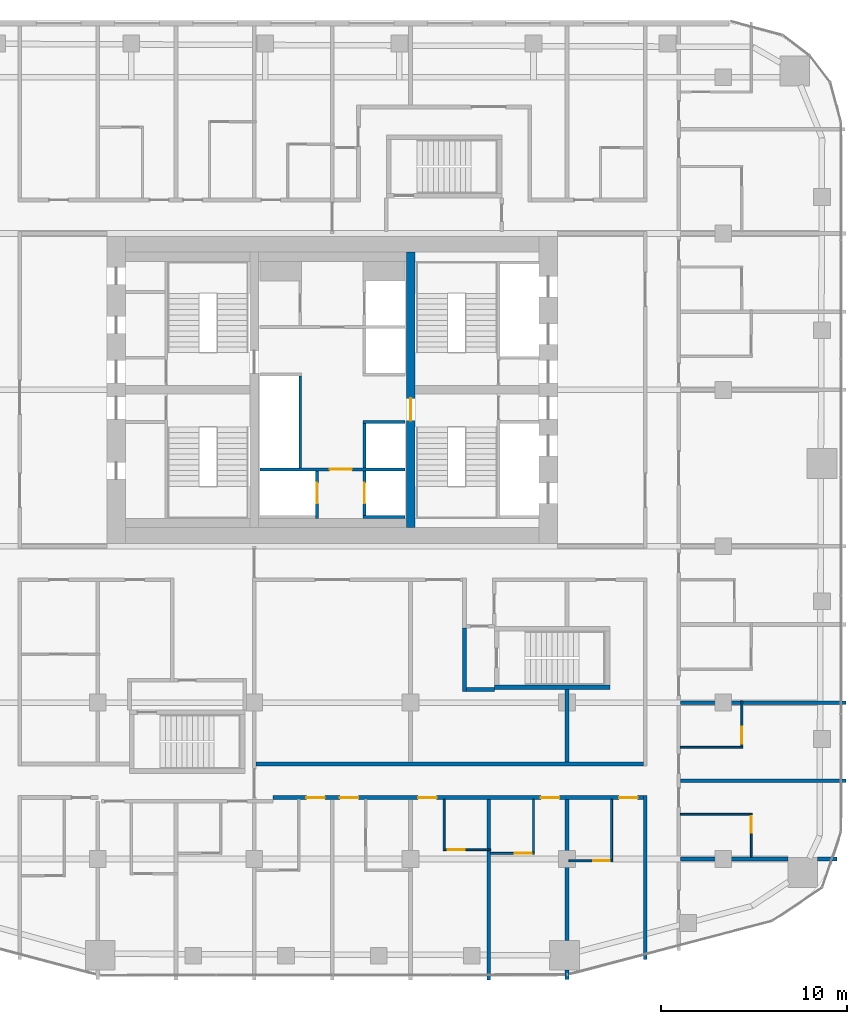
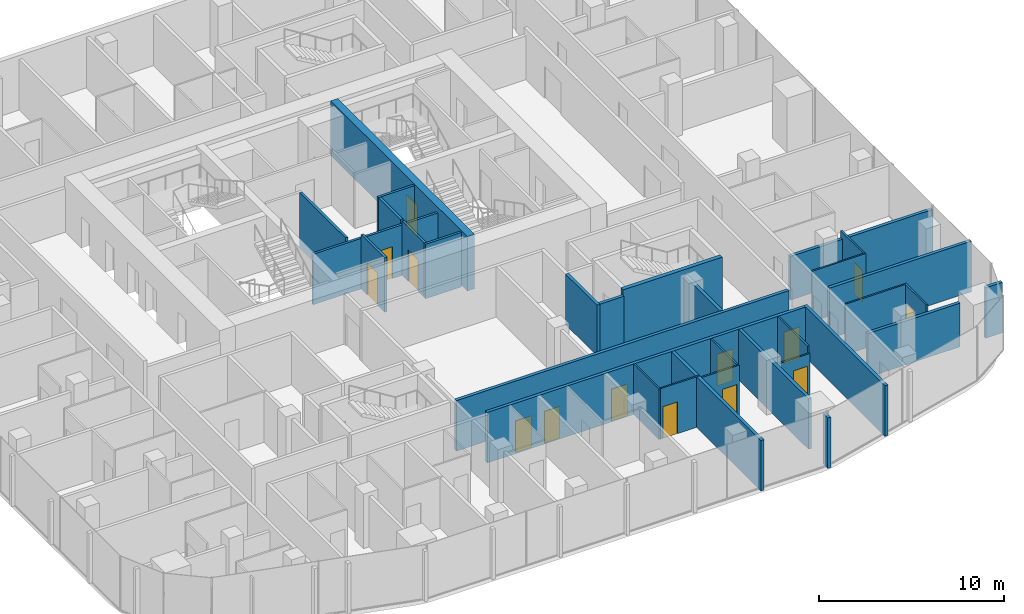
# One storey, part 16 of 23: 32 walls, 14 doors, 14 openings.
"""IFC4 building model written with IfcOpenShell, lengths in metres."""

from ifc_helpers import new_model, si_unit, direction, frame, frame_2d, origin, place, context, subcontext, project, spatial, rectangle, extrude, material, layer, layer_set, type_object, element, fill, save


model = new_model("IFC4")

# Units and contexts
model_context = context("Model", 3, precision=1e-05, world=origin(), true_north=direction((0.0, 1.0)))
body_context = subcontext(model_context, "Body", "Model", "MODEL_VIEW")
ifc_project = project(units=[si_unit("LENGTHUNIT", "METRE"), si_unit("AREAUNIT", "SQUARE_METRE"), si_unit("VOLUMEUNIT", "CUBIC_METRE"), si_unit("PLANEANGLEUNIT", "RADIAN"), si_unit("MASSUNIT", "GRAM", prefix="KILO")], contexts=[model_context])

# Site, building, storey
site_placement = place(None, origin())
site = spatial("IfcSite", under=ifc_project, at=site_placement, CompositionType="ELEMENT")
building_placement = place(site_placement, origin())
building = spatial("IfcBuilding", under=site, at=building_placement, Name="Marenta Gate Hotel Tower", CompositionType="ELEMENT")
storey_placement = place(building_placement, frame((0.0, 0.0, 104.89990234375)))
storey = spatial("IfcBuildingStorey", under=building, at=storey_placement, Name="L22", CompositionType="ELEMENT", Elevation=104.89990234375)

# Wall, opening, door
ifc_material_1 = material(Name="Concrete blockwork", Category="masonry")
ifc_layer_1 = layer(ifc_material_1, 0.14990234375)
ifc_layer_set_1 = layer_set([ifc_layer_1], Name="Concrete blockwork")
wall_type_1 = type_object("IfcWallType", Name="Core lobby partition 150 REI 180", PredefinedType="PARTITIONING", material=ifc_layer_set_1)
wall_1_placement = place(storey_placement, frame((-3.89990234375, 4.125, 0.0), z_axis=(0.0, 0.0, 1.0), x_axis=(1.0, 0.0, 0.0)))
wall_1 = element("IfcWall", 1, at=wall_1_placement, inside=storey, type_object=wall_type_1, Name="L22-CP-CW-S", PredefinedType="PARTITIONING", context=body_context, shape_type="SweptSolid", body=[
    extrude(rectangle(XDim=7.7998046875, YDim=0.14990234375, at=frame_2d((3.89990234375, 0.0))), origin(), (0.0, 0.0, 1.0), 3.340087890625),
])
opening_1_placement = place(wall_1_placement, frame((3.75, 0.0, 0.0)))
opening_1 = element("IfcOpeningElement", 2, at=opening_1_placement, cuts=wall_1, Name="Opening FD-FFS", PredefinedType="OPENING", context=body_context, shape_type="SweptSolid", body=[
    extrude(rectangle(XDim=1.199951171875, YDim=2.10009765625, at=frame_2d((0.60009765625, 1.050048828125))), frame((0.0, 0.074951171875, 0.0), z_axis=(0.0, -1.0, 0.0), x_axis=(1.0, 0.0, 0.0)), (0.0, 0.0, 1.0), 0.14990234375),
])
ifc_material_2 = material(Name="Steel", Category="steel")
door_type_1 = type_object("IfcDoorType", Name="Core lobby door 1200x2100 FD60", OperationType="SINGLE_SWING_LEFT", PredefinedType="DOOR", material=ifc_material_2)
door_1_placement = place(opening_1_placement, origin())
door_1 = element("IfcDoor", 3, at=door_1_placement, inside=storey, type_object=door_type_1, Name="FD-FFS", OperationType="SINGLE_SWING_LEFT", OverallHeight=2.10009765625, OverallWidth=1.199951171875, PredefinedType="DOOR", context=body_context, shape_type="SweptSolid", body=[
    extrude(rectangle(XDim=1.199951171875, YDim=2.10009765625, at=frame_2d((0.60009765625, 1.050048828125))), frame((0.0, 0.02490234375, 0.0), z_axis=(0.0, -1.0, 0.0), x_axis=(1.0, 0.0, 0.0)), (0.0, 0.0, 1.0), 0.050048828125),
])
fill(opening_1, door_1)

ifc_material_3 = material(Name="Concrete C40", Category="concrete")
ifc_layer_2 = layer(ifc_material_3, 0.14990234375)
ifc_layer_set_2 = layer_set([ifc_layer_2], Name="Concrete C40")
wall_type_2 = type_object("IfcWallType", Name="Core shaft wall 150 REI 180", PredefinedType="SHEAR", material=ifc_layer_set_2)
wall_2_placement = place(storey_placement, frame((-0.824951171875, 1.5, 0.0), z_axis=(0.0, 0.0, 1.0), x_axis=(0.0, 1.0, 0.0)))
wall_2 = element("IfcWall", 4, at=wall_2_placement, inside=storey, type_object=wall_type_2, Name="L22-SHF-CW-W-ff", PredefinedType="SHEAR", context=body_context, shape_type="SweptSolid", body=[
    extrude(rectangle(XDim=2.550048828125, YDim=0.14990234375, at=frame_2d((1.27490234375, 0.0))), origin(), (0.0, 0.0, 1.0), 3.60009765625),
])
opening_2_placement = place(wall_2_placement, frame((0.800048828125, 0.0, 0.0)))
opening_2 = element("IfcOpeningElement", 5, at=opening_2_placement, cuts=wall_2, Name="Opening LD-FF1", PredefinedType="OPENING", context=body_context, shape_type="SweptSolid", body=[
    extrude(rectangle(XDim=1.10009765625, YDim=2.10009765625, at=frame_2d((0.550048828125, 1.050048828125))), frame((0.0, 0.074951171875, 0.0), z_axis=(0.0, -1.0, 0.0), x_axis=(1.0, 0.0, 0.0)), (0.0, 0.0, 1.0), 0.14990234375),
])
ifc_material_4 = material(Name="Steel", Category="steel")
door_type_2 = type_object("IfcDoorType", Name="Core lift landing door 1100x2100 E 60", OperationType="SLIDING_TO_LEFT", PredefinedType="DOOR", material=ifc_material_4)
door_2_placement = place(opening_2_placement, origin())
door_2 = element("IfcDoor", 6, at=door_2_placement, inside=storey, type_object=door_type_2, Name="LD-FF1", OperationType="SLIDING_TO_LEFT", OverallHeight=2.10009765625, OverallWidth=1.10009765625, PredefinedType="DOOR", context=body_context, shape_type="SweptSolid", body=[
    extrude(rectangle(XDim=1.10009765625, YDim=2.10009765625, at=frame_2d((0.550048828125, 1.050048828125))), frame((0.0, 0.02490234375, 0.0), z_axis=(0.0, -1.0, 0.0), x_axis=(1.0, 0.0, 0.0)), (0.0, 0.0, 1.0), 0.050048828125),
])
fill(opening_2, door_2)

# Wall
wall_3_placement = place(storey_placement, frame((-1.72509765625, 4.199951171875, 0.0), z_axis=(0.0, 0.0, 1.0), x_axis=(0.0, 1.0, 0.0)))
element("IfcWall", 7, at=wall_3_placement, inside=storey, type_object=wall_type_2, Name="L22-SHF-CW-W-front", PredefinedType="SHEAR", context=body_context, shape_type="SweptSolid", body=[
    extrude(rectangle(XDim=4.949951171875, YDim=0.14990234375, at=frame_2d((2.47509765625, 0.0))), origin(), (0.0, 0.0, 1.0), 3.60009765625),
])

# Wall, opening, door
wall_4_placement = place(storey_placement, frame((1.72509765625, 1.64990234375, 0.0), z_axis=(0.0, 0.0, 1.0), x_axis=(0.0, 1.0, 0.0)))
wall_4 = element("IfcWall", 8, at=wall_4_placement, inside=storey, type_object=wall_type_2, Name="L22-SHF-CE-S-ls", PredefinedType="SHEAR", context=body_context, shape_type="SweptSolid", body=[
    extrude(rectangle(XDim=2.400146484375, YDim=0.14990234375, at=frame_2d((1.2001953125, 0.0))), origin(), (0.0, 0.0, 1.0), 3.60009765625),
])
opening_3_placement = place(wall_4_placement, frame((0.64990234375, 0.0, 0.0)))
opening_3 = element("IfcOpeningElement", 9, at=opening_3_placement, cuts=wall_4, Name="Opening LD-SV1", PredefinedType="OPENING", context=body_context, shape_type="SweptSolid", body=[
    extrude(rectangle(XDim=1.10009765625, YDim=2.10009765625, at=frame_2d((0.550048828125, 1.050048828125))), frame((0.0, 0.074951171875, 0.0), z_axis=(0.0, -1.0, 0.0), x_axis=(1.0, 0.0, 0.0)), (0.0, 0.0, 1.0), 0.14990234375),
])
door_3_placement = place(opening_3_placement, origin())
door_3 = element("IfcDoor", 10, at=door_3_placement, inside=storey, type_object=door_type_2, Name="LD-SV1", OperationType="SLIDING_TO_LEFT", OverallHeight=2.10009765625, OverallWidth=1.10009765625, PredefinedType="DOOR", context=body_context, shape_type="SweptSolid", body=[
    extrude(rectangle(XDim=1.10009765625, YDim=2.10009765625, at=frame_2d((0.550048828125, 1.050048828125))), frame((0.0, 0.02490234375, 0.0), z_axis=(0.0, -1.0, 0.0), x_axis=(1.0, 0.0, 0.0)), (0.0, 0.0, 1.0), 0.050048828125),
])
fill(opening_3, door_3)

# Walls
for number, where, z_axis, x_axis, name in (
    (11, (1.64990234375, 1.574951171875, 0.0), (0.0, 0.0, 1.0), (1.0, 0.0, 0.0), "L22-SHF-CE-S-bot"),
    (12, (1.64990234375, 6.675048828125, 0.0), (0.0, 0.0, 1.0), (1.0, 0.0, 0.0), "L22-SHF-CE-sep1"),
):
    element("IfcWall", number, at=place(storey_placement, frame(where, z_axis=z_axis, x_axis=x_axis)), inside=storey, type_object=wall_type_2, Name=name, PredefinedType="SHEAR", context=body_context, shape_type="SweptSolid", body=[
        extrude(rectangle(XDim=2.25, YDim=0.14990234375, at=frame_2d((1.125, 0.0))), origin(), (0.0, 0.0, 1.0), 3.60009765625),
    ])
wall_5_placement = place(storey_placement, frame((1.72509765625, 4.199951171875, 0.0), z_axis=(0.0, 0.0, 1.0), x_axis=(0.0, 1.0, 0.0)))
element("IfcWall", 13, at=wall_5_placement, inside=storey, type_object=wall_type_2, Name="L22-SHF-CE-front-1", PredefinedType="SHEAR", context=body_context, shape_type="SweptSolid", body=[
    extrude(rectangle(XDim=2.400146484375, YDim=0.14990234375, at=frame_2d((1.2001953125, 0.0))), origin(), (0.0, 0.0, 1.0), 3.60009765625),
])

# Wall, opening, door
ifc_material_5 = material(Name="Concrete C70", Category="concrete")
ifc_layer_3 = layer(ifc_material_5, 0.449951171875)
ifc_layer_set_3 = layer_set([ifc_layer_3], Name="Concrete C70")
wall_type_3 = type_object("IfcWallType", Name="Core web 450 C70", PredefinedType="SHEAR", material=ifc_layer_set_3)
wall_6_placement = place(storey_placement, frame((4.199951171875, 1.0, 0.0), z_axis=(0.0, 0.0, 1.0), x_axis=(0.0, 1.0, 0.0)))
wall_6 = element("IfcWall", 14, at=wall_6_placement, inside=storey, type_object=wall_type_3, Name="L22-CORE-W2", PredefinedType="SHEAR", context=body_context, shape_type="SweptSolid", body=[
    extrude(rectangle(XDim=14.800048828125, YDim=0.449951171875, at=frame_2d((7.39990234375, 0.0))), origin(), (0.0, 0.0, 1.0), 3.60009765625),
])
opening_4_placement = place(wall_6_placement, frame((5.75, 0.0, 0.0)))
opening_4 = element("IfcOpeningElement", 15, at=opening_4_placement, cuts=wall_6, Name="Opening WD-E", PredefinedType="OPENING", context=body_context, shape_type="SweptSolid", body=[
    extrude(rectangle(XDim=1.199951171875, YDim=2.10009765625, at=frame_2d((0.60009765625, 1.050048828125))), frame((0.0, 0.22509765625, 0.0), z_axis=(0.0, -1.0, 0.0), x_axis=(1.0, 0.0, 0.0)), (0.0, 0.0, 1.0), 0.449951171875),
])
ifc_material_6 = material(Name="Steel", Category="steel")
door_type_3 = type_object("IfcDoorType", Name="Core stair door 1200x2100 FD60", OperationType="SINGLE_SWING_LEFT", PredefinedType="DOOR", material=ifc_material_6)
door_4_placement = place(opening_4_placement, origin())
door_4 = element("IfcDoor", 16, at=door_4_placement, inside=storey, type_object=door_type_3, Name="WD-E", OperationType="SINGLE_SWING_LEFT", OverallHeight=2.10009765625, OverallWidth=1.199951171875, PredefinedType="DOOR", context=body_context, shape_type="SweptSolid", body=[
    extrude(rectangle(XDim=1.199951171875, YDim=2.10009765625, at=frame_2d((0.60009765625, 1.050048828125))), frame((0.0, 0.02490234375, 0.0), z_axis=(0.0, -1.0, 0.0), x_axis=(1.0, 0.0, 0.0)), (0.0, 0.0, 1.0), 0.050048828125),
])
fill(opening_4, door_4)

# Walls
ifc_material_7 = material(Name="Concrete C40", Category="concrete")
ifc_layer_4 = layer(ifc_material_7, 0.25)
ifc_layer_set_4 = layer_set([ifc_layer_4], Name="Concrete C40")
wall_type_4 = type_object("IfcWallType", Name="Remote stair enclosure wall 250 REI 180", PredefinedType="SHEAR", material=ifc_layer_set_4)
wall_7_placement = place(storey_placement, frame((8.699951171875, -7.574951171875, 0.10009765625), z_axis=(0.0, 0.0, 1.0), x_axis=(1.0, 0.0, 0.0)))
element("IfcWall", 17, at=wall_7_placement, inside=storey, type_object=wall_type_4, Name="L22-RS-Z2-2-W1", PredefinedType="SHEAR", context=body_context, shape_type="SweptSolid", body=[
    extrude(rectangle(XDim=6.199951171875, YDim=0.25, at=frame_2d((3.10009765625, 0.0))), origin(), (0.0, 0.0, 1.0), 3.60009765625),
])
ifc_material_8 = material(Name="Gypsum board on steel stud", Category="steel")
ifc_layer_5 = layer(ifc_material_8, 0.199951171875)
ifc_layer_set_5 = layer_set([ifc_layer_5], Name="Gypsum board on steel stud")
wall_type_5 = type_object("IfcWallType", Name="Room corridor wall 200 EI 60", PredefinedType="PARTITIONING", material=ifc_layer_set_5)
wall_8_placement = place(storey_placement, frame((16.800048828125, -22.18603515625, 0.0), z_axis=(0.0, 0.0, 1.0), x_axis=(0.0, 1.0, 0.0)))
element("IfcWall", 18, at=wall_8_placement, inside=storey, type_object=wall_type_5, Name="L22-PTN-W016", PredefinedType="PARTITIONING", context=body_context, shape_type="SweptSolid", body=[
    extrude(rectangle(XDim=8.7861328125, YDim=0.199951171875, at=frame_2d((4.39306640625, 0.0))), origin(), (0.0, 0.0, 1.0), 3.340087890625),
])

# Wall, openings, doors
wall_9_placement = place(storey_placement, frame((-3.199951171875, -13.5, 0.0), z_axis=(0.0, 0.0, 1.0), x_axis=(1.0, 0.0, 0.0)))
wall_9 = element("IfcWall", 19, at=wall_9_placement, inside=storey, type_object=wall_type_5, Name="L22-PTN-W030", PredefinedType="PARTITIONING", context=body_context, shape_type="SweptSolid", body=[
    extrude(rectangle(XDim=19.89990234375, YDim=0.199951171875, at=frame_2d((9.949951171875, 0.0))), origin(), (0.0, 0.0, 1.0), 3.340087890625),
])
opening_5_placement = place(wall_9_placement, frame((1.800048828125, 0.0, 0.0)))
opening_5 = element("IfcOpeningElement", 20, at=opening_5_placement, cuts=wall_9, Name="Opening G08-43", PredefinedType="OPENING", context=body_context, shape_type="SweptSolid", body=[
    extrude(rectangle(XDim=1.0, YDim=2.10009765625, at=frame_2d((0.5, 1.050048828125))), frame((0.0, 0.10009765625, 0.0), z_axis=(0.0, -1.0, 0.0), x_axis=(1.0, 0.0, 0.0)), (0.0, 0.0, 1.0), 0.199951171875),
])
opening_6_placement = place(wall_9_placement, frame((3.60009765625, 0.0, 0.0)))
opening_6 = element("IfcOpeningElement", 21, at=opening_6_placement, cuts=wall_9, Name="Opening G08-45", PredefinedType="OPENING", context=body_context, shape_type="SweptSolid", body=[
    extrude(rectangle(XDim=1.0, YDim=2.10009765625, at=frame_2d((0.5, 1.050048828125))), frame((0.0, 0.10009765625, 0.0), z_axis=(0.0, -1.0, 0.0), x_axis=(1.0, 0.0, 0.0)), (0.0, 0.0, 1.0), 0.199951171875),
])
opening_7_placement = place(wall_9_placement, frame((7.800048828125, 0.0, 0.0)))
opening_7 = element("IfcOpeningElement", 22, at=opening_7_placement, cuts=wall_9, Name="Opening G08-47", PredefinedType="OPENING", context=body_context, shape_type="SweptSolid", body=[
    extrude(rectangle(XDim=1.0, YDim=2.10009765625, at=frame_2d((0.5, 1.050048828125))), frame((0.0, 0.10009765625, 0.0), z_axis=(0.0, -1.0, 0.0), x_axis=(1.0, 0.0, 0.0)), (0.0, 0.0, 1.0), 0.199951171875),
])
opening_8_placement = place(wall_9_placement, frame((14.39990234375, 0.0, 0.0)))
opening_8 = element("IfcOpeningElement", 23, at=opening_8_placement, cuts=wall_9, Name="Opening G08-49", PredefinedType="OPENING", context=body_context, shape_type="SweptSolid", body=[
    extrude(rectangle(XDim=1.0, YDim=2.10009765625, at=frame_2d((0.5, 1.050048828125))), frame((0.0, 0.10009765625, 0.0), z_axis=(0.0, -1.0, 0.0), x_axis=(1.0, 0.0, 0.0)), (0.0, 0.0, 1.0), 0.199951171875),
])
opening_9_placement = place(wall_9_placement, frame((18.60009765625, 0.0, 0.0)))
opening_9 = element("IfcOpeningElement", 24, at=opening_9_placement, cuts=wall_9, Name="Opening G08-51", PredefinedType="OPENING", context=body_context, shape_type="SweptSolid", body=[
    extrude(rectangle(XDim=1.0, YDim=2.10009765625, at=frame_2d((0.5, 1.050048828125))), frame((0.0, 0.10009765625, 0.0), z_axis=(0.0, -1.0, 0.0), x_axis=(1.0, 0.0, 0.0)), (0.0, 0.0, 1.0), 0.199951171875),
])
ifc_material_9 = material(Name="Timber door leaf", Category="wood")
door_type_4 = type_object("IfcDoorType", Name="Guest room door 1000x2100 EI 30", OperationType="NOTDEFINED", PredefinedType="DOOR", material=ifc_material_9)
door_5_placement = place(opening_5_placement, origin())
door_5 = element("IfcDoor", 25, at=door_5_placement, inside=storey, type_object=door_type_4, Name="L22-PD-D043", OperationType="SINGLE_SWING_LEFT", OverallHeight=2.10009765625, OverallWidth=1.0, PredefinedType="DOOR", context=body_context, shape_type="SweptSolid", body=[
    extrude(rectangle(XDim=1.0, YDim=2.10009765625, at=frame_2d((0.5, 1.050048828125))), frame((0.0, 0.02490234375, 0.0), z_axis=(0.0, -1.0, 0.0), x_axis=(1.0, 0.0, 0.0)), (0.0, 0.0, 1.0), 0.050048828125),
])
fill(opening_5, door_5)
door_6_placement = place(opening_6_placement, origin())
door_6 = element("IfcDoor", 26, at=door_6_placement, inside=storey, type_object=door_type_4, Name="L22-PD-D045", OperationType="SINGLE_SWING_LEFT", OverallHeight=2.10009765625, OverallWidth=1.0, PredefinedType="DOOR", context=body_context, shape_type="SweptSolid", body=[
    extrude(rectangle(XDim=1.0, YDim=2.10009765625, at=frame_2d((0.5, 1.050048828125))), frame((0.0, 0.02490234375, 0.0), z_axis=(0.0, -1.0, 0.0), x_axis=(1.0, 0.0, 0.0)), (0.0, 0.0, 1.0), 0.050048828125),
])
fill(opening_6, door_6)
door_7_placement = place(opening_7_placement, origin())
door_7 = element("IfcDoor", 27, at=door_7_placement, inside=storey, type_object=door_type_4, Name="L22-PD-D047", OperationType="SINGLE_SWING_LEFT", OverallHeight=2.10009765625, OverallWidth=1.0, PredefinedType="DOOR", context=body_context, shape_type="SweptSolid", body=[
    extrude(rectangle(XDim=1.0, YDim=2.10009765625, at=frame_2d((0.5, 1.050048828125))), frame((0.0, 0.02490234375, 0.0), z_axis=(0.0, -1.0, 0.0), x_axis=(1.0, 0.0, 0.0)), (0.0, 0.0, 1.0), 0.050048828125),
])
fill(opening_7, door_7)
door_8_placement = place(opening_8_placement, origin())
door_8 = element("IfcDoor", 28, at=door_8_placement, inside=storey, type_object=door_type_4, Name="L22-PD-D049", OperationType="SINGLE_SWING_LEFT", OverallHeight=2.10009765625, OverallWidth=1.0, PredefinedType="DOOR", context=body_context, shape_type="SweptSolid", body=[
    extrude(rectangle(XDim=1.0, YDim=2.10009765625, at=frame_2d((0.5, 1.050048828125))), frame((0.0, 0.02490234375, 0.0), z_axis=(0.0, -1.0, 0.0), x_axis=(1.0, 0.0, 0.0)), (0.0, 0.0, 1.0), 0.050048828125),
])
fill(opening_8, door_8)
door_9_placement = place(opening_9_placement, origin())
door_9 = element("IfcDoor", 29, at=door_9_placement, inside=storey, type_object=door_type_4, Name="L22-PD-D051", OperationType="SINGLE_SWING_LEFT", OverallHeight=2.10009765625, OverallWidth=1.0, PredefinedType="DOOR", context=body_context, shape_type="SweptSolid", body=[
    extrude(rectangle(XDim=1.0, YDim=2.10009765625, at=frame_2d((0.5, 1.050048828125))), frame((0.0, 0.02490234375, 0.0), z_axis=(0.0, -1.0, 0.0), x_axis=(1.0, 0.0, 0.0)), (0.0, 0.0, 1.0), 0.050048828125),
])
fill(opening_9, door_9)

# Wall
wall_10_placement = place(storey_placement, frame((-4.10009765625, -11.699951171875, 0.0), z_axis=(0.0, 0.0, 1.0), x_axis=(1.0, 0.0, 0.0)))
element("IfcWall", 30, at=wall_10_placement, inside=storey, type_object=wall_type_5, Name="L22-PTN-W038", PredefinedType="PARTITIONING", context=body_context, shape_type="SweptSolid", body=[
    extrude(rectangle(XDim=20.800048828125, YDim=0.199951171875, at=frame_2d((10.39990234375, 0.0))), origin(), (0.0, 0.0, 1.0), 3.340087890625),
])

# Wall, opening, door
ifc_material_10 = material(Name="Gypsum board on steel stud", Category="steel")
ifc_layer_6 = layer(ifc_material_10, 0.10009765625)
ifc_layer_set_6 = layer_set([ifc_layer_6], Name="Gypsum board on steel stud")
wall_type_6 = type_object("IfcWallType", Name="Room partition 100", PredefinedType="PARTITIONING", material=ifc_layer_set_6)
wall_11_placement = place(storey_placement, frame((22.5, -16.699951171875, 0.0), z_axis=(0.0, 0.0, 1.0), x_axis=(0.0, 1.0, 0.0)))
wall_11 = element("IfcWall", 31, at=wall_11_placement, inside=storey, type_object=wall_type_6, Name="L22-PTN-W001", PredefinedType="PARTITIONING", context=body_context, shape_type="SweptSolid", body=[
    extrude(rectangle(XDim=2.349853515625, YDim=0.10009765625, at=frame_2d((1.1748046875, 0.0))), origin(), (0.0, 0.0, 1.0), 3.340087890625),
])
opening_10_placement = place(wall_11_placement, frame((1.300048828125, 0.0, 0.0)))
opening_10 = element("IfcOpeningElement", 32, at=opening_10_placement, cuts=wall_11, Name="Opening G08-09", PredefinedType="OPENING", context=body_context, shape_type="SweptSolid", body=[
    extrude(rectangle(XDim=0.89990234375, YDim=2.10009765625, at=frame_2d((0.449951171875, 1.050048828125))), frame((0.0, 0.050048828125, 0.0), z_axis=(0.0, -1.0, 0.0), x_axis=(1.0, 0.0, 0.0)), (0.0, 0.0, 1.0), 0.10009765625),
])
ifc_material_11 = material(Name="Timber door leaf", Category="wood")
door_type_5 = type_object("IfcDoorType", Name="Guest bathroom door 900x2100", OperationType="NOTDEFINED", PredefinedType="DOOR", material=ifc_material_11)
door_10_placement = place(opening_10_placement, origin())
door_10 = element("IfcDoor", 33, at=door_10_placement, inside=storey, type_object=door_type_5, Name="L22-PD-D009", OperationType="SINGLE_SWING_RIGHT", OverallHeight=2.10009765625, OverallWidth=0.89990234375, PredefinedType="DOOR", context=body_context, shape_type="SweptSolid", body=[
    extrude(rectangle(XDim=0.89990234375, YDim=2.10009765625, at=frame_2d((0.449951171875, 1.050048828125))), frame((0.0, 0.02490234375, 0.0), z_axis=(0.0, -1.0, 0.0), x_axis=(1.0, 0.0, 0.0)), (0.0, 0.0, 1.0), 0.050048828125),
])
fill(opening_10, door_10)

wall_12_placement = place(storey_placement, frame((22.0, -10.75, 0.0), z_axis=(0.0, 0.0, 1.0), x_axis=(0.0, 1.0, 0.0)))
wall_12 = element("IfcWall", 34, at=wall_12_placement, inside=storey, type_object=wall_type_6, Name="L22-PTN-W005", PredefinedType="PARTITIONING", context=body_context, shape_type="SweptSolid", body=[
    extrude(rectangle(XDim=2.449951171875, YDim=0.10009765625, at=frame_2d((1.22509765625, 0.0))), origin(), (0.0, 0.0, 1.0), 3.340087890625),
])
opening_11_placement = place(wall_12_placement, frame((0.14990234375, 0.0, 0.0)))
opening_11 = element("IfcOpeningElement", 35, at=opening_11_placement, cuts=wall_12, Name="Opening G08-11", PredefinedType="OPENING", context=body_context, shape_type="SweptSolid", body=[
    extrude(rectangle(XDim=0.89990234375, YDim=2.10009765625, at=frame_2d((0.449951171875, 1.050048828125))), frame((0.0, 0.050048828125, 0.0), z_axis=(0.0, -1.0, 0.0), x_axis=(1.0, 0.0, 0.0)), (0.0, 0.0, 1.0), 0.10009765625),
])
door_11_placement = place(opening_11_placement, origin())
door_11 = element("IfcDoor", 36, at=door_11_placement, inside=storey, type_object=door_type_5, Name="L22-PD-D011", OperationType="SINGLE_SWING_LEFT", OverallHeight=2.10009765625, OverallWidth=0.89990234375, PredefinedType="DOOR", context=body_context, shape_type="SweptSolid", body=[
    extrude(rectangle(XDim=0.89990234375, YDim=2.10009765625, at=frame_2d((0.449951171875, 1.050048828125))), frame((0.0, 0.02490234375, 0.0), z_axis=(0.0, -1.0, 0.0), x_axis=(1.0, 0.0, 0.0)), (0.0, 0.0, 1.0), 0.050048828125),
])
fill(opening_11, door_11)

wall_13_placement = place(storey_placement, frame((12.699951171875, -16.89990234375, 0.0), z_axis=(0.0, 0.0, 1.0), x_axis=(1.0, 0.0, 0.0)))
wall_13 = element("IfcWall", 37, at=wall_13_placement, inside=storey, type_object=wall_type_6, Name="L22-PTN-W015", PredefinedType="PARTITIONING", context=body_context, shape_type="SweptSolid", body=[
    extrude(rectangle(XDim=2.35009765625, YDim=0.10009765625, at=frame_2d((1.175048828125, 0.0))), origin(), (0.0, 0.0, 1.0), 2.89013671875),
])
opening_12_placement = place(wall_13_placement, frame((1.300048828125, 0.0, 0.0)))
opening_12 = element("IfcOpeningElement", 38, at=opening_12_placement, cuts=wall_13, Name="Opening G08-52", PredefinedType="OPENING", context=body_context, shape_type="SweptSolid", body=[
    extrude(rectangle(XDim=0.89990234375, YDim=2.10009765625, at=frame_2d((0.449951171875, 1.050048828125))), frame((0.0, 0.050048828125, 0.0), z_axis=(0.0, -1.0, 0.0), x_axis=(1.0, 0.0, 0.0)), (0.0, 0.0, 1.0), 0.10009765625),
])
door_12_placement = place(opening_12_placement, origin())
door_12 = element("IfcDoor", 39, at=door_12_placement, inside=storey, type_object=door_type_5, Name="L22-PD-D052", OperationType="SINGLE_SWING_RIGHT", OverallHeight=2.10009765625, OverallWidth=0.89990234375, PredefinedType="DOOR", context=body_context, shape_type="SweptSolid", body=[
    extrude(rectangle(XDim=0.89990234375, YDim=2.10009765625, at=frame_2d((0.449951171875, 1.050048828125))), frame((0.0, 0.02490234375, 0.0), z_axis=(0.0, -1.0, 0.0), x_axis=(1.0, 0.0, 0.0)), (0.0, 0.0, 1.0), 0.050048828125),
])
fill(opening_12, door_12)

wall_14_placement = place(storey_placement, frame((8.5, -16.5, 0.0), z_axis=(0.0, 0.0, 1.0), x_axis=(1.0, 0.0, 0.0)))
wall_14 = element("IfcWall", 40, at=wall_14_placement, inside=storey, type_object=wall_type_6, Name="L22-PTN-W022", PredefinedType="PARTITIONING", context=body_context, shape_type="SweptSolid", body=[
    extrude(rectangle(XDim=2.35009765625, YDim=0.10009765625, at=frame_2d((1.175048828125, 0.0))), origin(), (0.0, 0.0, 1.0), 3.340087890625),
])
opening_13_placement = place(wall_14_placement, frame((1.300048828125, 0.0, 0.0)))
opening_13 = element("IfcOpeningElement", 41, at=opening_13_placement, cuts=wall_14, Name="Opening G08-50", PredefinedType="OPENING", context=body_context, shape_type="SweptSolid", body=[
    extrude(rectangle(XDim=0.89990234375, YDim=2.10009765625, at=frame_2d((0.449951171875, 1.050048828125))), frame((0.0, 0.050048828125, 0.0), z_axis=(0.0, -1.0, 0.0), x_axis=(1.0, 0.0, 0.0)), (0.0, 0.0, 1.0), 0.10009765625),
])
door_13_placement = place(opening_13_placement, origin())
door_13 = element("IfcDoor", 42, at=door_13_placement, inside=storey, type_object=door_type_5, Name="L22-PD-D050", OperationType="SINGLE_SWING_RIGHT", OverallHeight=2.10009765625, OverallWidth=0.89990234375, PredefinedType="DOOR", context=body_context, shape_type="SweptSolid", body=[
    extrude(rectangle(XDim=0.89990234375, YDim=2.10009765625, at=frame_2d((0.449951171875, 1.050048828125))), frame((0.0, 0.02490234375, 0.0), z_axis=(0.0, -1.0, 0.0), x_axis=(1.0, 0.0, 0.0)), (0.0, 0.0, 1.0), 0.050048828125),
])
fill(opening_13, door_13)

wall_15_placement = place(storey_placement, frame((6.050048828125, -16.300048828125, 0.0), z_axis=(0.0, 0.0, 1.0), x_axis=(1.0, 0.0, 0.0)))
wall_15 = element("IfcWall", 43, at=wall_15_placement, inside=storey, type_object=wall_type_6, Name="L22-PTN-W023", PredefinedType="PARTITIONING", context=body_context, shape_type="SweptSolid", body=[
    extrude(rectangle(XDim=2.449951171875, YDim=0.10009765625, at=frame_2d((1.22509765625, 0.0))), origin(), (0.0, 0.0, 1.0), 3.340087890625),
])
opening_14_placement = place(wall_15_placement, frame((0.14990234375, 0.0, 0.0)))
opening_14 = element("IfcOpeningElement", 44, at=opening_14_placement, cuts=wall_15, Name="Opening G08-48", PredefinedType="OPENING", context=body_context, shape_type="SweptSolid", body=[
    extrude(rectangle(XDim=0.89990234375, YDim=2.10009765625, at=frame_2d((0.449951171875, 1.050048828125))), frame((0.0, 0.050048828125, 0.0), z_axis=(0.0, -1.0, 0.0), x_axis=(1.0, 0.0, 0.0)), (0.0, 0.0, 1.0), 0.10009765625),
])
door_14_placement = place(opening_14_placement, origin())
door_14 = element("IfcDoor", 45, at=door_14_placement, inside=storey, type_object=door_type_5, Name="L22-PD-D048", OperationType="SINGLE_SWING_LEFT", OverallHeight=2.10009765625, OverallWidth=0.89990234375, PredefinedType="DOOR", context=body_context, shape_type="SweptSolid", body=[
    extrude(rectangle(XDim=0.89990234375, YDim=2.10009765625, at=frame_2d((0.449951171875, 1.050048828125))), frame((0.0, 0.02490234375, 0.0), z_axis=(0.0, -1.0, 0.0), x_axis=(1.0, 0.0, 0.0)), (0.0, 0.0, 1.0), 0.050048828125),
])
fill(opening_14, door_14)

# Walls
wall_16_placement = place(storey_placement, frame((15.0, -16.85009765625, 0.0), z_axis=(0.0, 0.0, 1.0), x_axis=(0.0, 1.0, 0.0)))
element("IfcWall", 46, at=wall_16_placement, inside=storey, type_object=wall_type_6, Name="L22-PTN-W024", PredefinedType="PARTITIONING", context=body_context, shape_type="SweptSolid", body=[
    extrude(rectangle(XDim=3.25, YDim=0.10009765625, at=frame_2d((1.625, 0.0))), origin(), (0.0, 0.0, 1.0), 3.340087890625),
])
wall_17_placement = place(storey_placement, frame((18.699951171875, -14.39990234375, 0.0), z_axis=(0.0, 0.0, 1.0), x_axis=(1.0, 0.0, 0.0)))
element("IfcWall", 47, at=wall_17_placement, inside=storey, type_object=wall_type_6, Name="L22-PTN-W027", PredefinedType="PARTITIONING", context=body_context, shape_type="SweptSolid", body=[
    extrude(rectangle(XDim=3.75, YDim=0.10009765625, at=frame_2d((1.875, 0.0))), origin(), (0.0, 0.0, 1.0), 3.340087890625),
])
wall_18_placement = place(storey_placement, frame((10.800048828125, -16.449951171875, 0.0), z_axis=(0.0, 0.0, 1.0), x_axis=(0.0, 1.0, 0.0)))
element("IfcWall", 48, at=wall_18_placement, inside=storey, type_object=wall_type_6, Name="L22-PTN-W039", PredefinedType="PARTITIONING", context=body_context, shape_type="SweptSolid", body=[
    extrude(rectangle(XDim=2.849853515625, YDim=0.10009765625, at=frame_2d((1.4248046875, 0.0))), origin(), (0.0, 0.0, 1.0), 3.340087890625),
])
wall_19_placement = place(storey_placement, frame((18.699951171875, -10.800048828125, 0.0), z_axis=(0.0, 0.0, 1.0), x_axis=(1.0, 0.0, 0.0)))
element("IfcWall", 49, at=wall_19_placement, inside=storey, type_object=wall_type_6, Name="L22-PTN-W041", PredefinedType="PARTITIONING", context=body_context, shape_type="SweptSolid", body=[
    extrude(rectangle(XDim=3.35009765625, YDim=0.10009765625, at=frame_2d((1.675048828125, 0.0))), origin(), (0.0, 0.0, 1.0), 3.340087890625),
])
wall_20_placement = place(storey_placement, frame((6.0, -16.35009765625, 0.0), z_axis=(0.0, 0.0, 1.0), x_axis=(0.0, 1.0, 0.0)))
element("IfcWall", 50, at=wall_20_placement, inside=storey, type_object=wall_type_6, Name="L22-PTN-W055", PredefinedType="PARTITIONING", context=body_context, shape_type="SweptSolid", body=[
    extrude(rectangle(XDim=2.75, YDim=0.10009765625, at=frame_2d((1.375, 0.0))), origin(), (0.0, 0.0, 1.0), 3.340087890625),
])
ifc_material_12 = material(Name="Gypsum board on steel stud", Category="steel")
ifc_layer_7 = layer(ifc_material_12, 0.199951171875)
ifc_layer_set_7 = layer_set([ifc_layer_7], Name="Gypsum board on steel stud")
wall_type_7 = type_object("IfcWallType", Name="Room party wall 200 EI 60", PredefinedType="PARTITIONING", material=ifc_layer_set_7)
wall_21_placement = place(storey_placement, frame((18.699951171875, -16.800048828125, 0.0), z_axis=(0.0, 0.0, 1.0), x_axis=(1.0, 0.0, 0.0)))
element("IfcWall", 51, at=wall_21_placement, inside=storey, type_object=wall_type_7, Name="L22-PTN-W020", PredefinedType="PARTITIONING", context=body_context, shape_type="SweptSolid", body=[
    extrude(rectangle(XDim=5.762939453125, YDim=0.199951171875, at=frame_2d((2.88134765625, 0.0))), origin(), (0.0, 0.0, 1.0), 2.89013671875),
])
wall_22_placement = place(storey_placement, frame((26.06298828125, -16.800048828125, 0.0), z_axis=(0.0, 0.0, 1.0), x_axis=(1.0, 0.0, 0.0)))
element("IfcWall", 52, at=wall_22_placement, inside=storey, type_object=wall_type_7, Name="L22-PTN-W131", PredefinedType="PARTITIONING", context=body_context, shape_type="SweptSolid", body=[
    extrude(rectangle(XDim=1.049072265625, YDim=0.199951171875, at=frame_2d((0.5244140625, 0.0))), origin(), (0.0, 0.0, 1.0), 3.340087890625),
])
wall_23_placement = place(storey_placement, frame((12.60009765625, -23.26611328125, 0.0), z_axis=(0.0, 0.0, 1.0), x_axis=(0.0, 1.0, 0.0)))
element("IfcWall", 53, at=wall_23_placement, inside=storey, type_object=wall_type_7, Name="L22-PTN-W031", PredefinedType="PARTITIONING", context=body_context, shape_type="SweptSolid", body=[
    extrude(rectangle(XDim=0.4912109375, YDim=0.199951171875, at=frame_2d((0.24560546875, 0.0))), origin(), (0.0, 0.0, 1.0), 3.340087890625),
])
wall_24_placement = place(storey_placement, frame((12.60009765625, -21.175048828125, 0.0), z_axis=(0.0, 0.0, 1.0), x_axis=(0.0, 1.0, 0.0)))
element("IfcWall", 54, at=wall_24_placement, inside=storey, type_object=wall_type_7, Name="L22-PTN-W132", PredefinedType="PARTITIONING", context=body_context, shape_type="SweptSolid", body=[
    extrude(rectangle(XDim=7.574951171875, YDim=0.199951171875, at=frame_2d((3.78759765625, 0.0))), origin(), (0.0, 0.0, 1.0), 3.340087890625),
])
wall_25_placement = place(storey_placement, frame((12.60009765625, -11.60009765625, 0.0), z_axis=(0.0, 0.0, 1.0), x_axis=(0.0, 1.0, 0.0)))
element("IfcWall", 55, at=wall_25_placement, inside=storey, type_object=wall_type_7, Name="L22-PTN-W032", PredefinedType="PARTITIONING", context=body_context, shape_type="SweptSolid", body=[
    extrude(rectangle(XDim=3.900146484375, YDim=0.199951171875, at=frame_2d((1.9501953125, 0.0))), origin(), (0.0, 0.0, 1.0), 3.340087890625),
])
wall_26_placement = place(storey_placement, frame((18.699951171875, -12.60009765625, 0.0), z_axis=(0.0, 0.0, 1.0), x_axis=(1.0, 0.0, 0.0)))
element("IfcWall", 56, at=wall_26_placement, inside=storey, type_object=wall_type_7, Name="L22-PTN-W036", PredefinedType="PARTITIONING", context=body_context, shape_type="SweptSolid", body=[
    extrude(rectangle(XDim=8.900146484375, YDim=0.199951171875, at=frame_2d((4.4501953125, 0.0))), origin(), (0.0, 0.0, 1.0), 3.340087890625),
])
wall_27_placement = place(storey_placement, frame((8.39990234375, -23.300048828125, 0.0), z_axis=(0.0, 0.0, 1.0), x_axis=(0.0, 1.0, 0.0)))
element("IfcWall", 57, at=wall_27_placement, inside=storey, type_object=wall_type_7, Name="L22-PTN-W045", PredefinedType="PARTITIONING", context=body_context, shape_type="SweptSolid", body=[
    extrude(rectangle(XDim=9.699951171875, YDim=0.199951171875, at=frame_2d((4.85009765625, 0.0))), origin(), (0.0, 0.0, 1.0), 3.340087890625),
])
wall_28_placement = place(storey_placement, frame((18.699951171875, -8.39990234375, 0.0), z_axis=(0.0, 0.0, 1.0), x_axis=(1.0, 0.0, 0.0)))
element("IfcWall", 58, at=wall_28_placement, inside=storey, type_object=wall_type_7, Name="L22-PTN-W047", PredefinedType="PARTITIONING", context=body_context, shape_type="SweptSolid", body=[
    extrude(rectangle(XDim=8.900146484375, YDim=0.199951171875, at=frame_2d((4.4501953125, 0.0))), origin(), (0.0, 0.0, 1.0), 2.89013671875),
])
ifc_material_13 = material(Name="Concrete blockwork", Category="masonry")
ifc_layer_8 = layer(ifc_material_13, 0.199951171875)
ifc_layer_set_8 = layer_set([ifc_layer_8], Name="Concrete blockwork")
wall_type_8 = type_object("IfcWallType", Name="Room party wall 200 REI 180", PredefinedType="PARTITIONING", material=ifc_layer_set_8)
wall_29_placement = place(storey_placement, frame((7.199951171875, -7.699951171875, 0.0), z_axis=(0.0, 0.0, 1.0), x_axis=(1.0, 0.0, 0.0)))
element("IfcWall", 59, at=wall_29_placement, inside=storey, type_object=wall_type_8, Name="L22-PTN-W048", PredefinedType="PARTITIONING", context=body_context, shape_type="SweptSolid", body=[
    extrude(rectangle(XDim=1.5, YDim=0.199951171875, at=frame_2d((0.75, 0.0))), origin(), (0.0, 0.0, 1.0), 3.340087890625),
])
wall_30_placement = place(storey_placement, frame((7.10009765625, -7.800048828125, 0.0), z_axis=(0.0, 0.0, 1.0), x_axis=(0.0, 1.0, 0.0)))
element("IfcWall", 60, at=wall_30_placement, inside=storey, type_object=wall_type_8, Name="L22-PTN-W051", PredefinedType="PARTITIONING", context=body_context, shape_type="SweptSolid", body=[
    extrude(rectangle(XDim=3.400146484375, YDim=0.199951171875, at=frame_2d((1.7001953125, 0.0))), origin(), (0.0, 0.0, 1.0), 3.340087890625),
])

save(model, "model.ifc")
